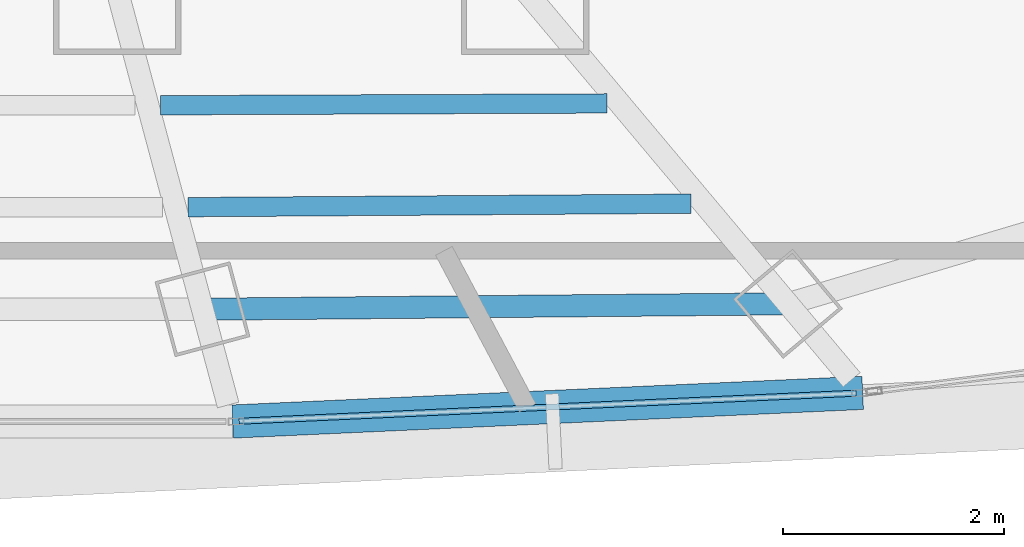
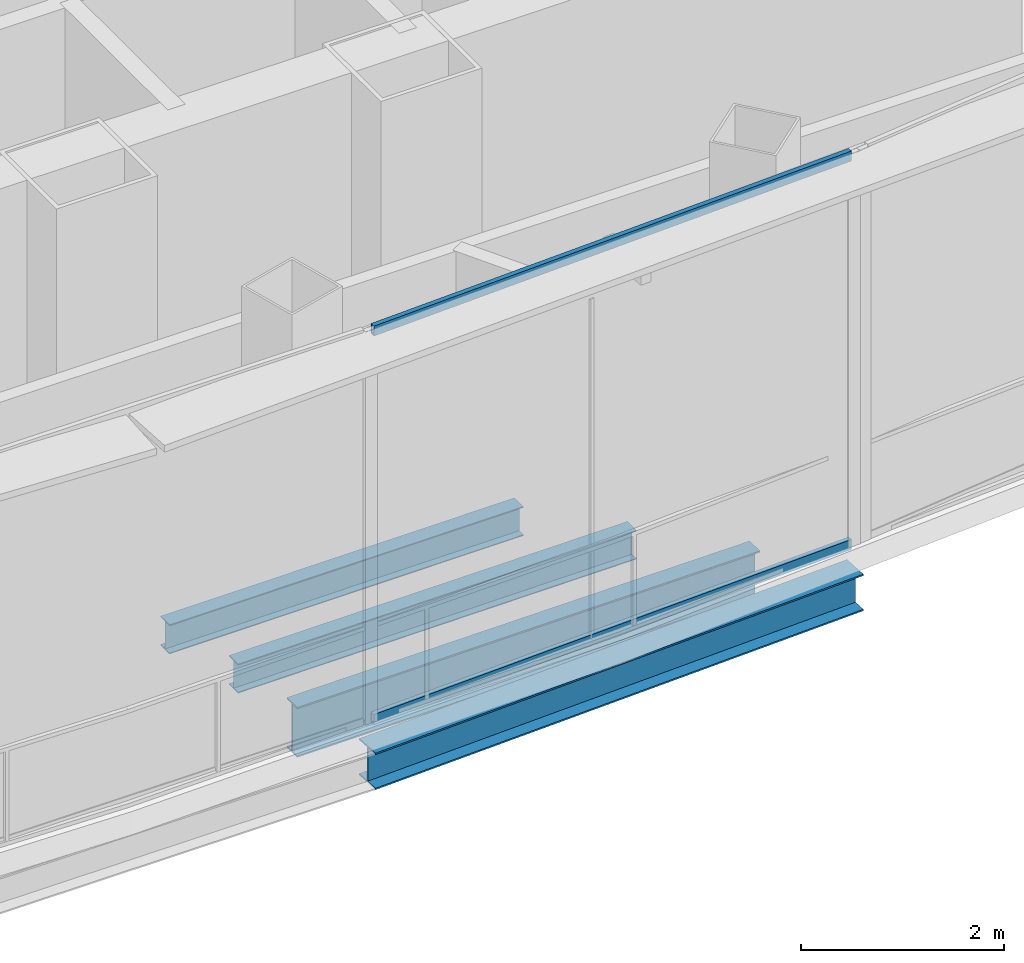
# One storey, part 5 of 29: 4 beams, 2 members, 1 element without a shape of its own.
"""IFC4 building model written with IfcOpenShell, lengths in metres."""

from ifc_helpers import new_model, si_unit, direction, frame, origin, origin_2d, place, context, subcontext, project, spatial, hollow_rectangle, i_section, extrude, source, transform, mapped, material, layer, layer_set, material_profile, profile_set, type_object, element, aggregate, save


model = new_model("IFC4")

# Units and contexts
model_context = context("Model", 3, precision=1e-05, world=origin(), true_north=direction((0.0, 1.0)))
body_context = subcontext(model_context, "Body", "Model", "MODEL_VIEW")
ifc_project = project(units=[si_unit("LENGTHUNIT", "METRE"), si_unit("AREAUNIT", "SQUARE_METRE"), si_unit("VOLUMEUNIT", "CUBIC_METRE"), si_unit("PLANEANGLEUNIT", "RADIAN"), si_unit("MASSUNIT", "GRAM", prefix="KILO"), si_unit("THERMODYNAMICTEMPERATUREUNIT", "KELVIN"), si_unit("POWERUNIT", "WATT")], contexts=[model_context])

# Site, building, storey
site_placement = place(None, origin())
site = spatial("IfcSite", under=ifc_project, at=site_placement, CompositionType="ELEMENT")
building_placement = place(site_placement, origin())
building = spatial("IfcBuilding", under=site, at=building_placement, Name="Yunzhuo Pagoda Commons", CompositionType="ELEMENT")
storey_placement = place(building_placement, frame((0.0, 0.0, 366.760009765625)))
storey = spatial("IfcBuildingStorey", under=building, at=storey_placement, Name="L92", CompositionType="ELEMENT", Elevation=366.760009765625)

# Beams
ifc_material_1 = material(Name="Structural steel Q355B", Category="steel")
ifc_material_profile_1 = material_profile(ifc_material_1, i_section(OverallWidth=0.199951171875, OverallDepth=0.60009765625, WebThickness=0.010986328125, FlangeThickness=0.01708984375, at=origin_2d()), Name="Structural steel Q355B")
ifc_profile_set_1 = profile_set([ifc_material_profile_1], Name="Structural steel Q355B")
beam_type_1 = type_object("IfcBeamType", Name="B-RG3 Beam HN 600x200x11x17", PredefinedType="BEAM", material=ifc_profile_set_1)
shared_shape_1 = source(origin(), body_context, "Body", "SweptSolid", [
    extrude(i_section(OverallWidth=0.199951171875, OverallDepth=0.60009765625, WebThickness=0.010986328125, FlangeThickness=0.01708984375, at=origin_2d()), origin(), (0.0, 0.0, 1.0), 5.286376953125),
])
beam_1_placement = place(storey_placement, frame((50.499267578125, 24.372802734375, -0.580078125), z_axis=(0.999957341442, 0.009236627946, 0.0), x_axis=(-0.009236627946, 0.999957341442, 0.0)))
element("IfcBeam", 1, at=beam_1_placement, inside=storey, type_object=beam_type_1, Name="L92 column-ring beam 3", PredefinedType="BEAM", context=body_context, shape_type="MappedRepresentation", body=[
    mapped(shared_shape_1, transform((0.0, 0.0, 0.0), scale=1.0)),
])
ifc_material_profile_2 = material_profile(ifc_material_1, i_section(OverallWidth=0.175048828125, OverallDepth=0.35009765625, WebThickness=0.007080078125, FlangeThickness=0.010986328125, at=origin_2d()), Name="Structural steel Q355B")
ifc_profile_set_2 = profile_set([ifc_material_profile_2], Name="Structural steel Q355B")
beam_type_2 = type_object("IfcBeamType", Name="B-JS2 Joist HN 350x175x7x11", PredefinedType="JOIST", material=ifc_profile_set_2)
shared_shape_2 = source(origin(), body_context, "Body", "SweptSolid", [
    extrude(i_section(OverallWidth=0.175048828125, OverallDepth=0.35009765625, WebThickness=0.007080078125, FlangeThickness=0.010986328125, at=origin_2d()), origin(), (0.0, 0.0, 1.0), 4.03076171875),
])
beam_2_placement = place(storey_placement, frame((50.120849609375, 26.214599609375, -0.455078125), z_axis=(0.999991518197, 0.004118680996, 0.0), x_axis=(-0.004118680996, 0.999991518197, 0.0)))
element("IfcBeam", 2, at=beam_2_placement, inside=storey, type_object=beam_type_2, Name="L92 composite ring joist 1.3", PredefinedType="JOIST", context=body_context, shape_type="MappedRepresentation", body=[
    mapped(shared_shape_2, transform((0.0, 0.0, 0.0), scale=1.0)),
])
shared_shape_3 = source(origin(), body_context, "Body", "SweptSolid", [
    extrude(i_section(OverallWidth=0.175048828125, OverallDepth=0.35009765625, WebThickness=0.007080078125, FlangeThickness=0.010986328125, at=origin_2d()), origin(), (0.0, 0.0, 1.0), 4.54345703125),
])
beam_3_placement = place(storey_placement, frame((50.367431640625, 25.29443359375, -0.455078125), z_axis=(0.999975976237, 0.006931590593, 0.0), x_axis=(-0.006931590593, 0.999975976237, 0.0)))
element("IfcBeam", 3, at=beam_3_placement, inside=storey, type_object=beam_type_2, Name="L92 composite ring joist 2.3", PredefinedType="JOIST", context=body_context, shape_type="MappedRepresentation", body=[
    mapped(shared_shape_3, transform((0.0, 0.0, 0.0), scale=1.0)),
])
ifc_material_profile_3 = material_profile(ifc_material_1, i_section(OverallWidth=0.300048828125, OverallDepth=0.43994140625, WebThickness=0.010986328125, FlangeThickness=0.01806640625, at=origin_2d()), Name="Structural steel Q355B")
ifc_profile_set_3 = profile_set([ifc_material_profile_3], Name="Structural steel Q355B")
beam_type_3 = type_object("IfcBeamType", Name="B-SP2 Beam HM 440x300x11x18", PredefinedType="BEAM", material=ifc_profile_set_3)
shared_shape_4 = source(origin(), body_context, "Body", "SweptSolid", [
    extrude(i_section(OverallWidth=0.300048828125, OverallDepth=0.43994140625, WebThickness=0.010986328125, FlangeThickness=0.01806640625, at=origin_2d()), origin(), (0.0, 0.0, 1.0), 5.6953125),
])
beam_4_placement = place(storey_placement, frame((50.77099609375, 23.358642578125, -0.5), z_axis=(0.998967125564, 0.045438772447, 0.0), x_axis=(-0.045438772447, 0.998967125564, 0.0)))
element("IfcBeam", 4, at=beam_4_placement, inside=storey, type_object=beam_type_3, Name="L92 facade edge spandrel beam F1.3", PredefinedType="BEAM", context=body_context, shape_type="MappedRepresentation", body=[
    mapped(shared_shape_4, transform((0.0, 0.0, 0.0), scale=1.0)),
])

# Curtain wall, members
ifc_material_2 = material(Name="Anodized aluminium 6063-T6", Category="aluminium")
ifc_layer = layer(ifc_material_2, 0.139892578125)
ifc_layer_set = layer_set([ifc_layer], Name="Anodized aluminium 6063-T6")
curtain_wall_type = type_object("IfcCurtainWallType", Name="CW-HI High-Zone Ribbon Curtain Wall", PredefinedType="NOTDEFINED", material=ifc_layer_set)
curtain_wall_placement = place(storey_placement, origin())
curtain_wall = element("IfcCurtainWall", 5, at=curtain_wall_placement, inside=storey, type_object=curtain_wall_type, Name="L92 curtain wall CW-L92-F1B4", PredefinedType="NOTDEFINED")
ifc_material_profile_4 = material_profile(ifc_material_2, hollow_rectangle(XDim=0.054931640625, YDim=0.1201171875, WallThickness=0.00341796875, at=origin_2d()), Name="Anodized aluminium 6063-T6")
ifc_profile_set_4 = profile_set([ifc_material_profile_4], Name="Anodized aluminium 6063-T6")
member_type = type_object("IfcMemberType", Name="CW-HI-T Transom RHS 120x55x3.5", PredefinedType="USERDEFINED", material=ifc_profile_set_4)
shared_shape_5 = source(origin(), body_context, "Body", "SweptSolid", [
    extrude(hollow_rectangle(XDim=0.054931640625, YDim=0.1201171875, WallThickness=0.00341796875, at=origin_2d()), origin(), (0.0, 0.0, 1.0), 5.5751953125),
])
member_1_placement = place(storey_placement, frame((50.8310546875, 23.361328125, 0.027587890625), z_axis=(0.998968359619, 0.045411633742, 0.0), x_axis=(-0.045411633742, 0.998968359619, 0.0)))
member_1 = element("IfcMember", 6, at=member_1_placement, type_object=member_type, Name="CW transom 1.1", ObjectType="TRANSOM", PredefinedType="USERDEFINED", context=body_context, shape_type="MappedRepresentation", body=[
    mapped(shared_shape_5, transform((0.0, 0.0, 0.0), scale=1.0)),
])
member_2_placement = place(storey_placement, frame((50.8310546875, 23.361328125, 4.6923828125), z_axis=(0.998968359619, 0.045411633742, 0.0), x_axis=(-0.045411633742, 0.998968359619, 0.0)))
member_2 = element("IfcMember", 7, at=member_2_placement, type_object=member_type, Name="CW transom 1.2", ObjectType="TRANSOM", PredefinedType="USERDEFINED", context=body_context, shape_type="MappedRepresentation", body=[
    mapped(shared_shape_5, transform((0.0, 0.0, 0.0), scale=1.0)),
])
aggregate(curtain_wall, [member_1, member_2])

save(model, "model.ifc")
